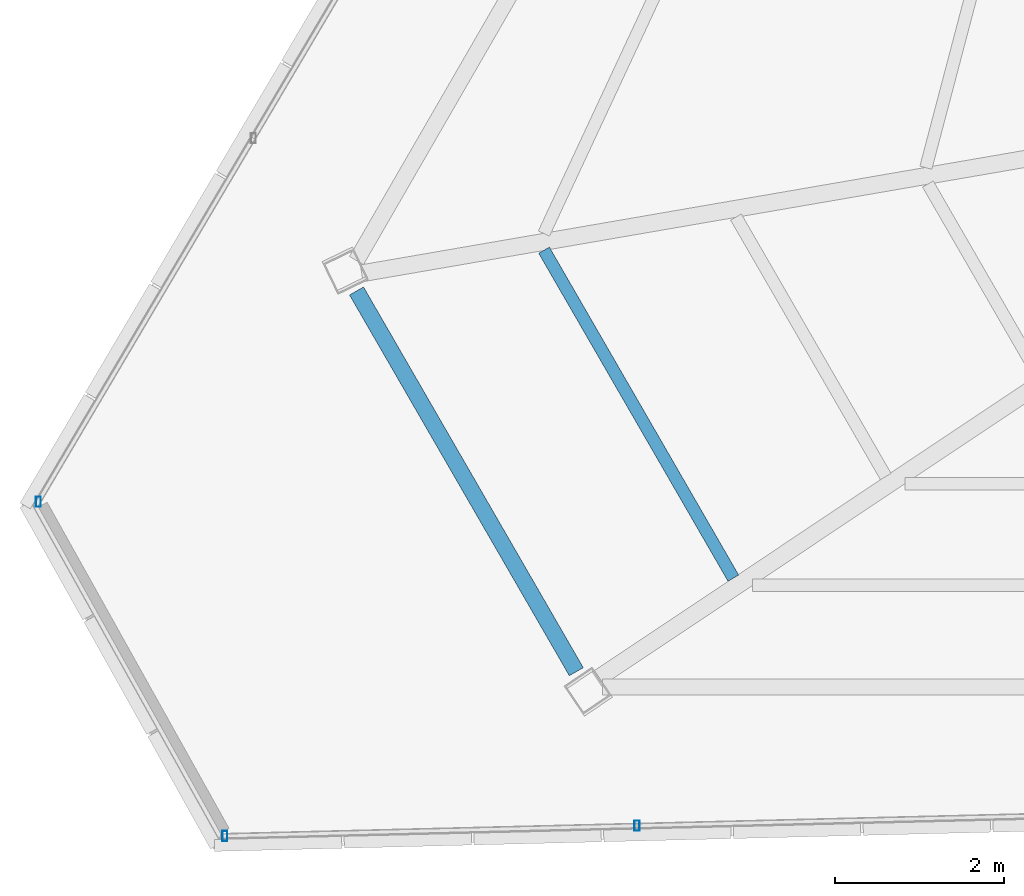
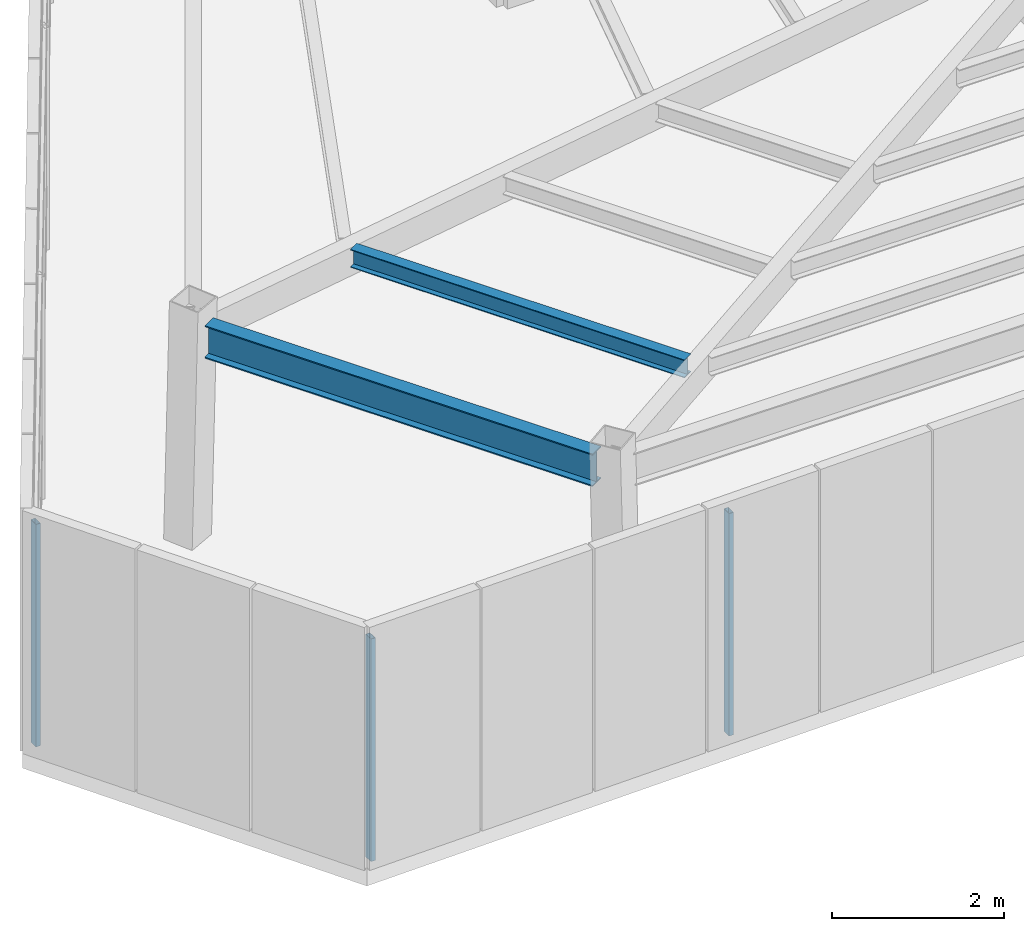
# One storey, part 3 of 44: 3 members, 2 beams, 2 elements without a shape of their own.
"""IFC4 building model written with IfcOpenShell, lengths in metres."""

from ifc_helpers import new_model, si_unit, direction, frame, origin, origin_2d, place, context, subcontext, project, spatial, hollow_rectangle, i_section, extrude, source, transform, mapped, material, material_profile, profile_set, type_object, type_shapes, element, aggregate, save


model = new_model("IFC4")

# Units and contexts
model_context = context("Model", 3, precision=1e-05, world=origin(), true_north=direction((0.0, 1.0)))
body_context = subcontext(model_context, "Body", "Model", "MODEL_VIEW")
ifc_project = project(units=[si_unit("LENGTHUNIT", "METRE"), si_unit("AREAUNIT", "SQUARE_METRE"), si_unit("VOLUMEUNIT", "CUBIC_METRE"), si_unit("PLANEANGLEUNIT", "RADIAN"), si_unit("MASSUNIT", "GRAM", prefix="KILO")], contexts=[model_context])

# Site, building, storey
site_placement = place(None, origin())
site = spatial("IfcSite", under=ifc_project, at=site_placement, CompositionType="ELEMENT")
building_placement = place(site_placement, origin())
building = spatial("IfcBuilding", under=site, at=building_placement, Name="Caelisora Broadcast Tower", CompositionType="ELEMENT")
storey_placement = place(building_placement, frame((0.0, 0.0, 296.60009765625)))
storey = spatial("IfcBuildingStorey", under=building, at=storey_placement, Name="L78", CompositionType="ELEMENT", Elevation=296.60009765625)

# Beams
ifc_material_1 = material(Name="Steel Grade 350 (AS/NZS 3679.1)", Category="steel")
ifc_material_profile_1 = material_profile(ifc_material_1, i_section(OverallWidth=0.19091796875, OverallDepth=0.46044921875, WebThickness=0.010009765625, FlangeThickness=0.01611328125, at=origin_2d()), Name="Steel Grade 350 (AS/NZS 3679.1)")
ifc_profile_set_1 = profile_set([ifc_material_profile_1], Name="Steel Grade 350 (AS/NZS 3679.1)")
beam_type_1 = type_object("IfcBeamType", Name="PG06", PredefinedType="BEAM", material=ifc_profile_set_1)
shared_shape_1 = source(origin(), body_context, "Body", "SweptSolid", [
    extrude(i_section(OverallWidth=0.19091796875, OverallDepth=0.46044921875, WebThickness=0.010009765625, FlangeThickness=0.01611328125, at=origin_2d()), origin(), (0.0, 0.0, 1.0), 5.193115234375),
])
type_shapes(beam_type_1, [shared_shape_1])
beam_1_placement = place(storey_placement, frame((16.99853515625, 14.873046875, 2.919677734375), z_axis=(0.499966621779, -0.866044673852, 0.0), x_axis=(0.866044673852, 0.499966621779, 0.0)))
element("IfcBeam", 1, at=beam_1_placement, inside=storey, type_object=beam_type_1, Name="L78 beam PG06", PredefinedType="BEAM", context=body_context, shape_type="MappedRepresentation", body=[
    mapped(shared_shape_1, transform((0.0, 0.0, 0.0), scale=1.0)),
])
ifc_material_profile_2 = material_profile(ifc_material_1, i_section(OverallWidth=0.14599609375, OverallDepth=0.256103515625, WebThickness=0.00634765625, FlangeThickness=0.010986328125, at=origin_2d()), Name="Steel Grade 350 (AS/NZS 3679.1)")
ifc_profile_set_2 = profile_set([ifc_material_profile_2], Name="Steel Grade 350 (AS/NZS 3679.1)")
beam_type_2 = type_object("IfcBeamType", Name="SB04", PredefinedType="JOIST", material=ifc_profile_set_2)
shared_shape_2 = source(origin(), body_context, "Body", "SweptSolid", [
    extrude(i_section(OverallWidth=0.14599609375, OverallDepth=0.256103515625, WebThickness=0.00634765625, FlangeThickness=0.010986328125, at=origin_2d()), origin(), (0.0, 0.0, 1.0), 4.473388671875),
])
type_shapes(beam_type_2, [shared_shape_2])
beam_2_placement = place(storey_placement, frame((19.2138671875, 15.3544921875, 3.021728515625), z_axis=(0.499983869355, -0.866034716616, 0.0), x_axis=(0.866034716616, 0.499983869355, 0.0)))
element("IfcBeam", 2, at=beam_2_placement, inside=storey, type_object=beam_type_2, Name="L78 beam SB04", PredefinedType="JOIST", context=body_context, shape_type="MappedRepresentation", body=[
    mapped(shared_shape_2, transform((0.0, 0.0, 0.0), scale=1.0)),
])

# Curtain wall, members
ifc_material_2 = material(Name="Unitised Aluminium Insulated Shadow-Box Spandrel Curtain Wall", Category="aluminium")
curtain_wall_type = type_object("IfcCurtainWallType", Name="CW-SP3", PredefinedType="NOTDEFINED", material=ifc_material_2)
curtain_wall_1_placement = place(storey_placement, origin())
curtain_wall_1 = element("IfcCurtainWall", 3, at=curtain_wall_1_placement, inside=storey, type_object=curtain_wall_type, Name="L78 curtain wall CW-SP3", PredefinedType="NOTDEFINED")
ifc_material_3 = material(Name="Aluminium 6063-T6 Anodised Terracotta Bronze", Category="aluminium")
ifc_material_profile_3 = material_profile(ifc_material_3, hollow_rectangle(XDim=0.06005859375, YDim=0.1201171875, WallThickness=0.0029296875, at=origin_2d()), Name="Aluminium 6063-T6 Anodised Terracotta Bronze")
ifc_profile_set_3 = profile_set([ifc_material_profile_3], Name="Aluminium 6063-T6 Anodised Terracotta Bronze")
member_type = type_object("IfcMemberType", Name="CWM-04", PredefinedType="MULLION", material=ifc_profile_set_3)
shared_shape_3 = source(origin(), body_context, "Body", "SweptSolid", [
    extrude(hollow_rectangle(XDim=0.06005859375, YDim=0.1201171875, WallThickness=0.0029296875, at=origin_2d()), origin(), (0.0, 0.0, 1.0), 3.14990234375),
])
type_shapes(member_type, [shared_shape_3])
member_1_placement = place(storey_placement, frame((20.311767578125, 8.5556640625, 0.0), z_axis=(0.0, 0.0, 1.0), x_axis=(1.0, 0.0, 0.0)))
member_1 = element("IfcMember", 4, at=member_1_placement, type_object=member_type, Name="L78-CW-B07 mullion #2", PredefinedType="MULLION", context=body_context, shape_type="MappedRepresentation", body=[
    mapped(shared_shape_3, transform((0.0, 0.0, 0.0), scale=1.0)),
])
member_2_placement = place(storey_placement, frame((15.444091796875, 8.435302734375, 0.0), z_axis=(0.0, 0.0, 1.0), x_axis=(1.0, 0.0, 0.0)))
member_2 = element("IfcMember", 5, at=member_2_placement, type_object=member_type, Name="L78-CW-B07 mullion #3", PredefinedType="MULLION", context=body_context, shape_type="MappedRepresentation", body=[
    mapped(shared_shape_3, transform((0.0, 0.0, 0.0), scale=1.0)),
])
aggregate(curtain_wall_1, [member_1, member_2])

# Curtain wall, member
curtain_wall_2_placement = place(storey_placement, origin())
curtain_wall_2 = element("IfcCurtainWall", 6, at=curtain_wall_2_placement, inside=storey, type_object=curtain_wall_type, Name="L78 curtain wall CW-SP3", PredefinedType="NOTDEFINED")
member_3_placement = place(storey_placement, frame((13.240478515625, 12.383056640625, 0.0), z_axis=(0.0, 0.0, 1.0), x_axis=(1.0, 0.0, 0.0)))
member_3 = element("IfcMember", 7, at=member_3_placement, type_object=member_type, Name="L78-CW-B09 mullion #0", PredefinedType="MULLION", context=body_context, shape_type="MappedRepresentation", body=[
    mapped(shared_shape_3, transform((0.0, 0.0, 0.0), scale=1.0)),
])
aggregate(curtain_wall_2, [member_3])

save(model, "model.ifc")
